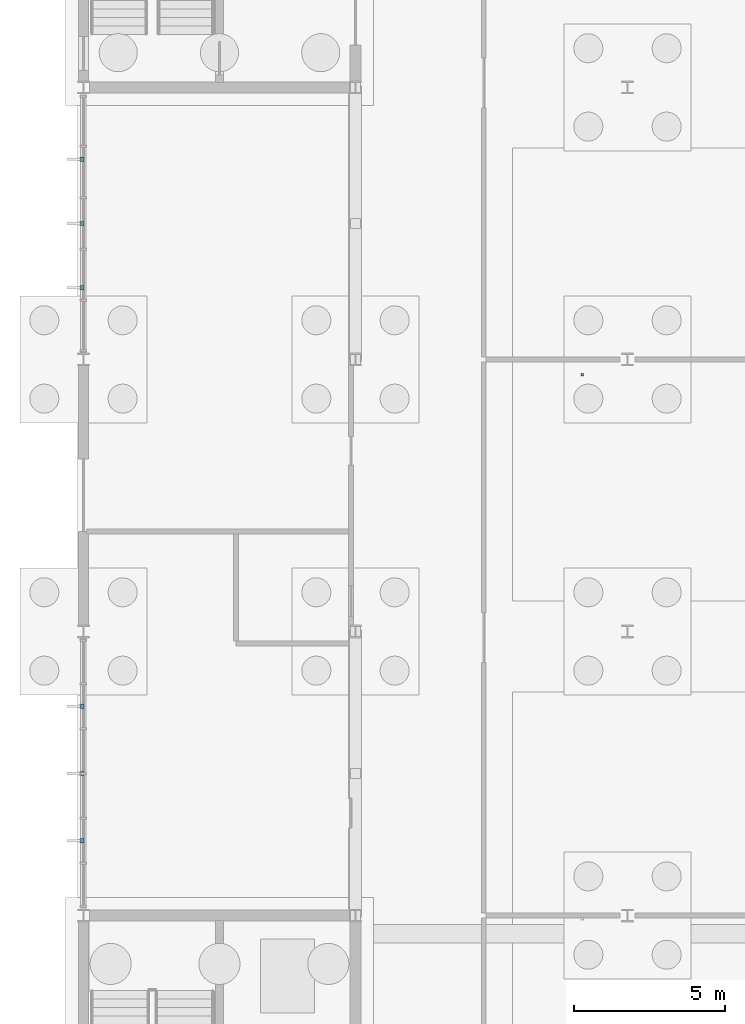
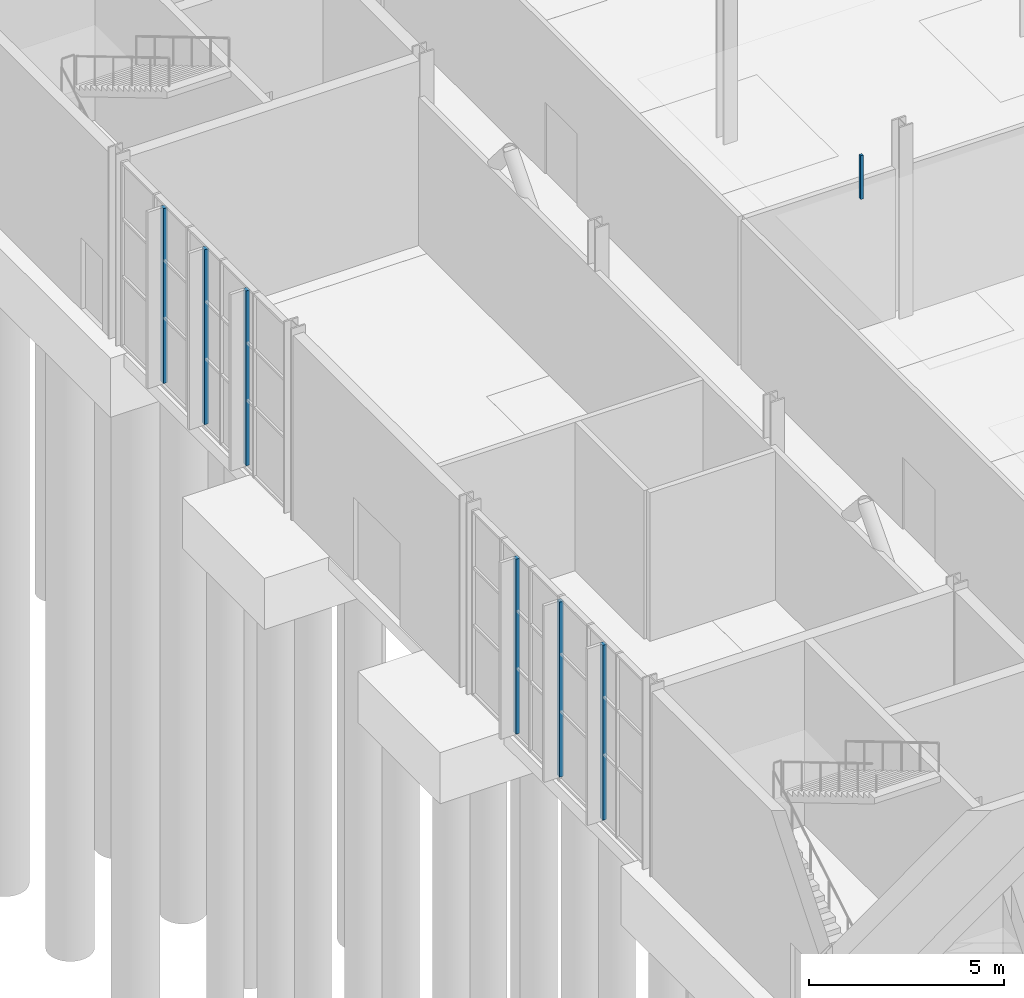
# One storey, part 111 of 131: 7 discrete accessories.
"""IFC4 building model written with IfcOpenShell, lengths in metres."""

from ifc_helpers import new_model, si_unit, direction, frame, origin, origin_2d, place, context, subcontext, project, spatial, rectangle, extrude, material, type_object, element, save


model = new_model("IFC4")

# Units and contexts
model_context = context("Model", 3, precision=1e-05, world=origin(), true_north=direction((0.0, 1.0)))
body_context = subcontext(model_context, "Body", "Model", "MODEL_VIEW")
ifc_project = project(units=[si_unit("LENGTHUNIT", "METRE"), si_unit("AREAUNIT", "SQUARE_METRE"), si_unit("VOLUMEUNIT", "CUBIC_METRE"), si_unit("PLANEANGLEUNIT", "RADIAN"), si_unit("MASSUNIT", "GRAM", prefix="KILO")], contexts=[model_context])

# Site, building, storey
site_placement = place(None, origin())
site = spatial("IfcSite", under=ifc_project, at=site_placement, CompositionType="ELEMENT")
building_placement = place(site_placement, origin())
building = spatial("IfcBuilding", under=site, at=building_placement, Name="Cazmaro Siding Exhibition Halls", CompositionType="ELEMENT")
storey_placement = place(building_placement, origin())
storey = spatial("IfcBuildingStorey", under=building, at=storey_placement, Name="L00", CompositionType="ELEMENT", Elevation=0.0)

# Discrete accessories
ifc_material_1 = material(Name="Steel ASTM A572 Grade 50", Category="steel")
discrete_accessory_type_1 = type_object("IfcDiscreteAccessoryType", Name="SBK-01", PredefinedType="BRACKET", material=ifc_material_1)
for number, where, z_axis, x_axis, name in (
    (1, (-0.0400390625, 66.075927734375, 0.14990234375), (0.0, 0.0, 1.0), (1.0, 0.0, 0.0), "Solar Fin Steel Support Bracket SBK-01 001"),
    (2, (-0.0400390625, 68.300048828125, 0.14990234375), (0.0, 0.0, 1.0), (1.0, 0.0, 0.0), "Solar Fin Steel Support Bracket SBK-01 002"),
    (3, (-0.0400390625, 70.52294921875, 0.14990234375), (0.0, 0.0, 1.0), (1.0, 0.0, 0.0), "Solar Fin Steel Support Bracket SBK-01 003"),
    (4, (-0.0400390625, 84.3759765625, 0.14990234375), (0.0, 0.0, 1.0), (1.0, 0.0, 0.0), "Solar Fin Steel Support Bracket SBK-01 004"),
    (5, (-0.0400390625, 86.5, 0.14990234375), (0.0, 0.0, 1.0), (1.0, 0.0, 0.0), "Solar Fin Steel Support Bracket SBK-01 005"),
    (6, (-0.0400390625, 88.6240234375, 0.14990234375), (0.0, 0.0, 1.0), (1.0, 0.0, 0.0), "Solar Fin Steel Support Bracket SBK-01 006"),
):
    element("IfcDiscreteAccessory", number, at=place(storey_placement, frame(where, z_axis=z_axis, x_axis=x_axis)), inside=storey, type_object=discrete_accessory_type_1, Name=name, PredefinedType="BRACKET", context=body_context, shape_type="SweptSolid", body=[
        extrude(rectangle(XDim=0.1201171875, YDim=0.139892578125, at=origin_2d()), origin(), (0.0, 0.0, 1.0), 5.47998046875),
    ])
ifc_material_2 = material(Name="Steel ASTM A572 Grade 50", Category="steel")
discrete_accessory_type_2 = type_object("IfcDiscreteAccessoryType", Name="SBK-02", PredefinedType="BRACKET", material=ifc_material_2)
discrete_accessory_placement = place(storey_placement, frame((16.5, 81.5, 4.419921875), z_axis=(0.0, 0.0, 1.0), x_axis=(1.0, 0.0, 0.0)))
element("IfcDiscreteAccessory", 7, at=discrete_accessory_placement, inside=storey, type_object=discrete_accessory_type_2, Name="Ceiling Cloud Hanger Bracket SBK-02 003", PredefinedType="BRACKET", context=body_context, shape_type="SweptSolid", body=[
    extrude(rectangle(XDim=0.080078125, YDim=0.080078125, at=origin_2d()), origin(), (0.0, 0.0, 1.0), 1.3701171875),
])

save(model, "model.ifc")
